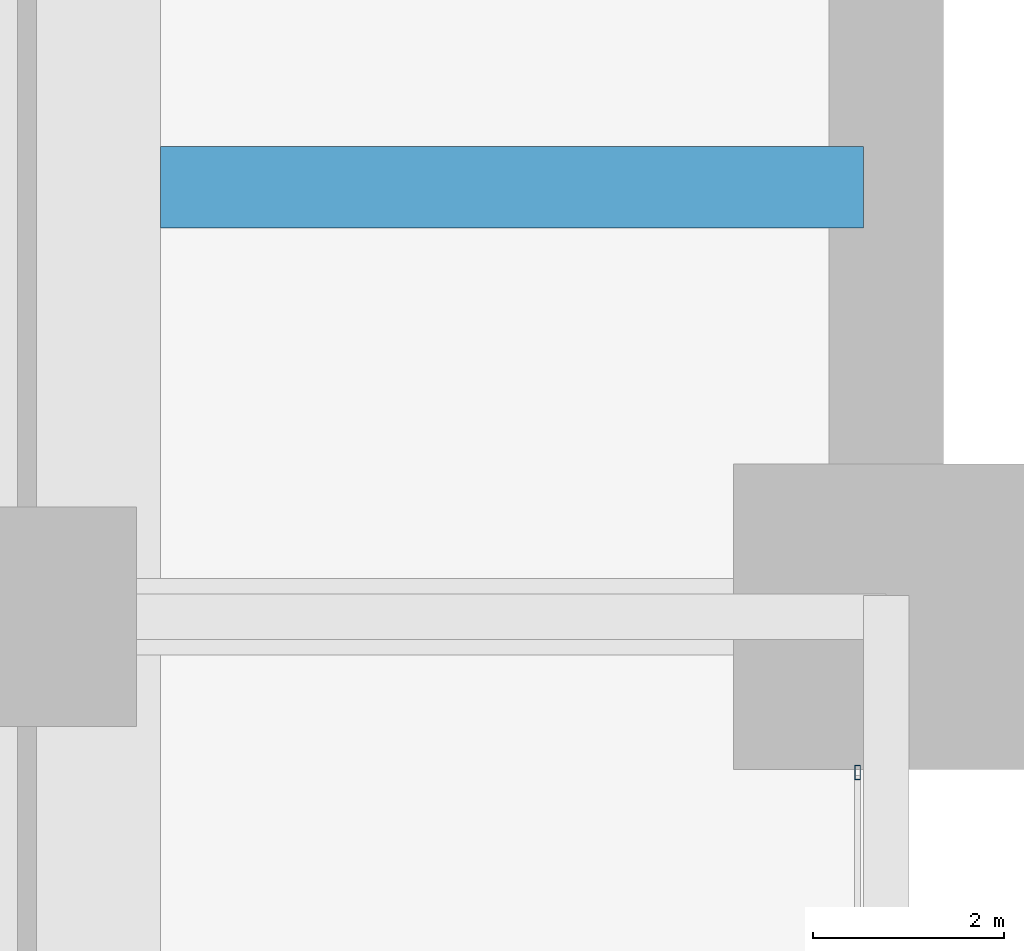
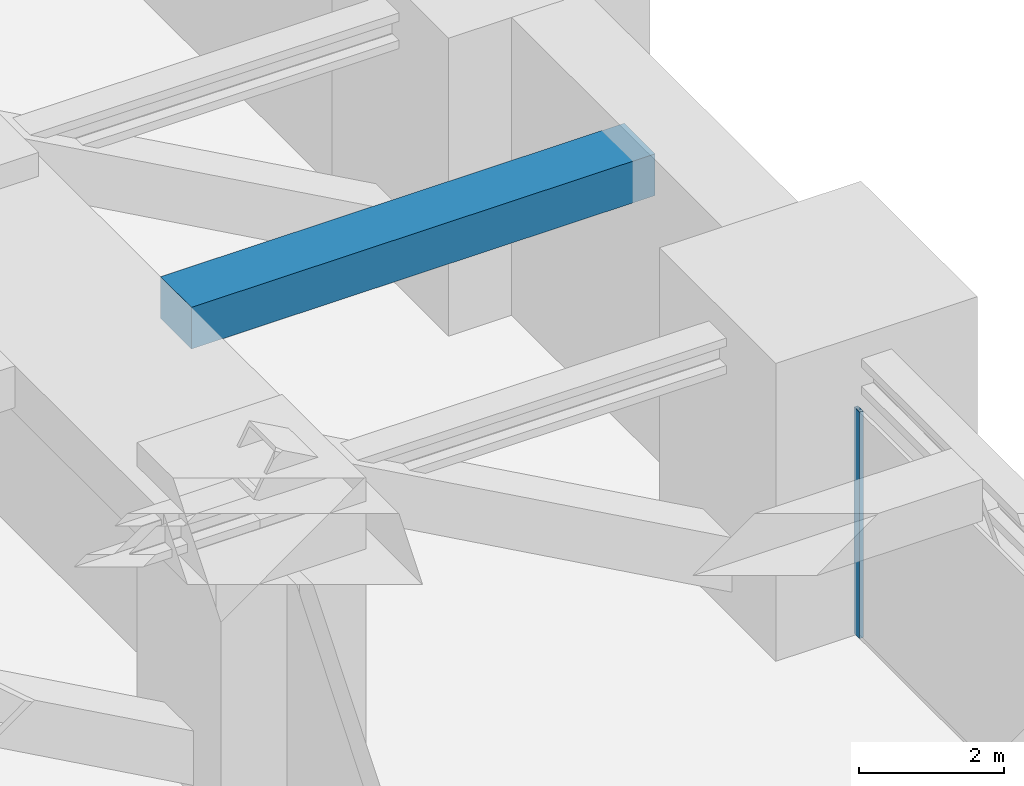
# One storey, part 19 of 35: 1 beam, 1 member, 1 element without a shape of its own.
"""IFC4 building model written with IfcOpenShell, lengths in metres."""

from ifc_helpers import new_model, si_unit, direction, frame, origin, origin_2d, place, context, subcontext, project, spatial, rectangle, hollow_rectangle, extrude, material, material_profile, profile_set, type_object, element, aggregate, save


model = new_model("IFC4")

# Units and contexts
model_context = context("Model", 3, precision=1e-05, world=origin(), true_north=direction((0.0, 1.0)))
body_context = subcontext(model_context, "Body", "Model", "MODEL_VIEW")
ifc_project = project(units=[si_unit("LENGTHUNIT", "METRE"), si_unit("AREAUNIT", "SQUARE_METRE"), si_unit("VOLUMEUNIT", "CUBIC_METRE"), si_unit("PLANEANGLEUNIT", "RADIAN"), si_unit("MASSUNIT", "GRAM", prefix="KILO")], contexts=[model_context])

# Site, building, storey
site_placement = place(None, origin())
site = spatial("IfcSite", under=ifc_project, at=site_placement, CompositionType="ELEMENT")
building_placement = place(site_placement, origin())
building = spatial("IfcBuilding", under=site, at=building_placement, Name="Zorevar Civic Tower", CompositionType="ELEMENT")
storey_placement = place(building_placement, frame((0.0, 0.0, 80.0)))
storey = spatial("IfcBuildingStorey", under=building, at=storey_placement, Name="L19", CompositionType="ELEMENT", Elevation=80.0)

# Beam
ifc_material_1 = material(Name="Concrete C50/60", Category="concrete")
ifc_material_profile_1 = material_profile(ifc_material_1, rectangle(XDim=0.85009765625, YDim=0.699951171875, at=origin_2d()), Name="RC 850x700")
ifc_profile_set_1 = profile_set([ifc_material_profile_1], Name="Concrete C50/60")
beam_type = type_object("IfcBeamType", Name="Beam RC 850x700", PredefinedType="BEAM", material=ifc_profile_set_1)
beam_placement = place(storey_placement, frame((55.39990234375, 31.5, 4.25), z_axis=(1.0, 0.0, 0.0), x_axis=(0.0, 1.0, 0.0)))
element("IfcBeam", 1, at=beam_placement, inside=storey, type_object=beam_type, Name="Secondary beam L20", PredefinedType="BEAM", context=body_context, shape_type="SweptSolid", body=[
    extrude(rectangle(XDim=0.85009765625, YDim=0.699951171875, at=origin_2d()), origin(), (0.0, 0.0, 1.0), 7.362060546875),
])

# Curtain wall, member
ifc_material_2 = material(Name="Black aluminium louvres", Category="aluminium")
curtain_wall_type = type_object("IfcCurtainWallType", Name="Louvred curtain wall CW6 refuge", PredefinedType="NOTDEFINED", material=ifc_material_2)
curtain_wall_placement = place(storey_placement, origin())
curtain_wall = element("IfcCurtainWall", 2, at=curtain_wall_placement, inside=storey, type_object=curtain_wall_type, Name="CW6 L19", PredefinedType="NOTDEFINED")
ifc_material_3 = material(Name="Aluminium, black anodised", Category="aluminium")
ifc_material_profile_2 = material_profile(ifc_material_3, hollow_rectangle(XDim=0.06005859375, YDim=0.14990234375, WallThickness=0.00390625, at=origin_2d()), Name="AL 150x60x4")
ifc_profile_set_2 = profile_set([ifc_material_profile_2], Name="Aluminium, black anodised")
member_type = type_object("IfcMemberType", Name="CW6 mullion AL 150x60x4", PredefinedType="MULLION", material=ifc_profile_set_2)
member_placement = place(storey_placement, frame((62.699951171875, 25.3701171875, 0.0), z_axis=(0.0, 0.0, 1.0), x_axis=(-1.0, 0.0, 0.0)))
member = element("IfcMember", 3, at=member_placement, type_object=member_type, Name="CW6 mullion 2", PredefinedType="MULLION", context=body_context, shape_type="SweptSolid", body=[
    extrude(hollow_rectangle(XDim=0.06005859375, YDim=0.14990234375, WallThickness=0.00390625, at=origin_2d()), origin(), (0.0, 0.0, 1.0), 3.800048828125),
])
aggregate(curtain_wall, [member])

save(model, "model.ifc")
